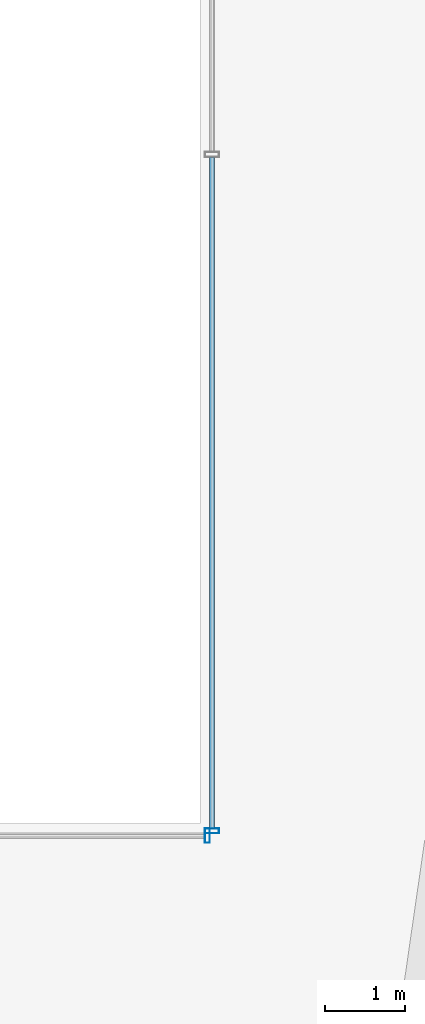
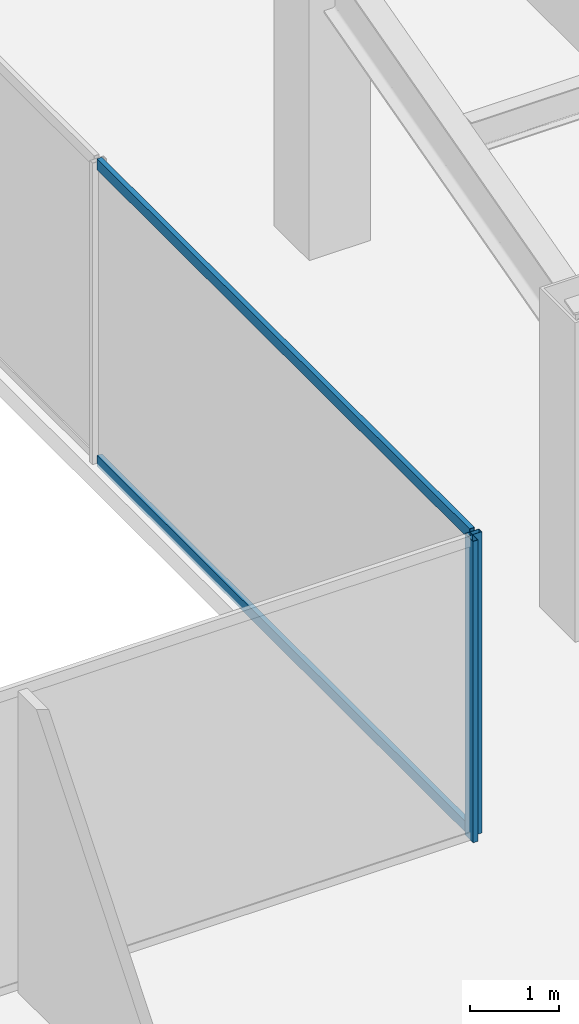
# One storey, part 18 of 47: 4 members, 2 elements without a shape of their own.
"""IFC4 building model written with IfcOpenShell, lengths in metres."""

from ifc_helpers import new_model, si_unit, direction, frame, origin, origin_2d, place, context, subcontext, project, spatial, hollow_rectangle, extrude, material, material_profile, profile_set, type_object, element, aggregate, save


model = new_model("IFC4")

# Units and contexts
model_context = context("Model", 3, precision=1e-05, world=origin(), true_north=direction((0.0, 1.0)))
body_context = subcontext(model_context, "Body", "Model", "MODEL_VIEW")
ifc_project = project(units=[si_unit("LENGTHUNIT", "METRE"), si_unit("AREAUNIT", "SQUARE_METRE"), si_unit("VOLUMEUNIT", "CUBIC_METRE"), si_unit("PLANEANGLEUNIT", "RADIAN"), si_unit("MASSUNIT", "GRAM", prefix="KILO")], contexts=[model_context])

# Site, building, storey
site_placement = place(None, origin())
site = spatial("IfcSite", under=ifc_project, at=site_placement, CompositionType="ELEMENT")
building_placement = place(site_placement, origin())
building = spatial("IfcBuilding", under=site, at=building_placement, Name="Saevonmaru Cultural Tower", CompositionType="ELEMENT")
storey_placement = place(building_placement, frame((0.0, 0.0, 78.0)))
storey = spatial("IfcBuildingStorey", under=building, at=storey_placement, Name="L16", CompositionType="ELEMENT", Elevation=78.0)

# Curtain wall, member
ifc_material = material(Name="Satin Bronze Anodised Aluminium", Category="aluminium")
curtain_wall_type = type_object("IfcCurtainWallType", Name="CW-ATR-GLZ", PredefinedType="NOTDEFINED", material=ifc_material)
curtain_wall_1_placement = place(storey_placement, origin())
curtain_wall_1 = element("IfcCurtainWall", 1, at=curtain_wall_1_placement, inside=storey, type_object=curtain_wall_type, Name="L16 Vertical Atrium Glazed Smoke Screen 1", PredefinedType="NOTDEFINED")
ifc_material_profile_1 = material_profile(ifc_material, hollow_rectangle(XDim=0.06494140625, YDim=0.179931640625, WallThickness=0.00390625, at=origin_2d()), Name="ALU-MULL-180x65x4")
ifc_profile_set_1 = profile_set([ifc_material_profile_1], Name="Satin Bronze Anodised Aluminium")
member_type_1 = type_object("IfcMemberType", Name="ML-CW-INT-180x65", PredefinedType="MULLION", material=ifc_profile_set_1)
member_1_placement = place(storey_placement, frame((35.889892578125, 20.85009765625, 0.0), z_axis=(0.0, 0.0, 1.0), x_axis=(1.0, 0.0, 0.0)))
member_1 = element("IfcMember", 2, at=member_1_placement, type_object=member_type_1, Name="CW-ATR-L16-1 mullion 2", PredefinedType="MULLION", context=body_context, shape_type="SweptSolid", body=[
    extrude(hollow_rectangle(XDim=0.06494140625, YDim=0.179931640625, WallThickness=0.00390625, at=origin_2d()), origin(), (0.0, 0.0, 1.0), 4.14990234375),
])
aggregate(curtain_wall_1, [member_1])

# Curtain wall, members
curtain_wall_2_placement = place(storey_placement, origin())
curtain_wall_2 = element("IfcCurtainWall", 3, at=curtain_wall_2_placement, inside=storey, type_object=curtain_wall_type, Name="L16 Vertical Atrium Glazed Smoke Screen 2", PredefinedType="NOTDEFINED")
member_2_placement = place(storey_placement, frame((35.949951171875, 20.909912109375, 0.0), z_axis=(0.0, 0.0, 1.0), x_axis=(0.0, 1.0, 0.0)))
member_2 = element("IfcMember", 4, at=member_2_placement, type_object=member_type_1, Name="CW-ATR-L16-2 mullion 1", PredefinedType="MULLION", context=body_context, shape_type="SweptSolid", body=[
    extrude(hollow_rectangle(XDim=0.06494140625, YDim=0.179931640625, WallThickness=0.00390625, at=origin_2d()), origin(), (0.0, 0.0, 1.0), 4.14990234375),
])
ifc_material_profile_2 = material_profile(ifc_material, hollow_rectangle(XDim=0.06494140625, YDim=0.14990234375, WallThickness=0.00390625, at=origin_2d()), Name="ALU-TRAN-150x65x4")
ifc_profile_set_2 = profile_set([ifc_material_profile_2], Name="Satin Bronze Anodised Aluminium")
member_type_2 = type_object("IfcMemberType", Name="TR-CW-INT-150x65", PredefinedType="USERDEFINED", material=ifc_profile_set_2)
member_3_placement = place(storey_placement, frame((35.949951171875, 20.9423828125, 0.032470703125), z_axis=(0.0, 1.0, 0.0), x_axis=(-1.0, 0.0, 0.0)))
member_3 = element("IfcMember", 5, at=member_3_placement, type_object=member_type_2, Name="CW-ATR-L16-2 transom 1.1", ObjectType="TRANSOM", PredefinedType="USERDEFINED", context=body_context, shape_type="SweptSolid", body=[
    extrude(hollow_rectangle(XDim=0.06494140625, YDim=0.14990234375, WallThickness=0.00390625, at=origin_2d()), origin(), (0.0, 0.0, 1.0), 8.405029296875),
])
member_4_placement = place(storey_placement, frame((35.949951171875, 20.9423828125, 4.117431640625), z_axis=(0.0, 1.0, 0.0), x_axis=(-1.0, 0.0, 0.0)))
member_4 = element("IfcMember", 6, at=member_4_placement, type_object=member_type_2, Name="CW-ATR-L16-2 transom 1.2", ObjectType="TRANSOM", PredefinedType="USERDEFINED", context=body_context, shape_type="SweptSolid", body=[
    extrude(hollow_rectangle(XDim=0.06494140625, YDim=0.14990234375, WallThickness=0.00390625, at=origin_2d()), origin(), (0.0, 0.0, 1.0), 8.405029296875),
])
aggregate(curtain_wall_2, [member_2, member_3, member_4])

save(model, "model.ifc")
